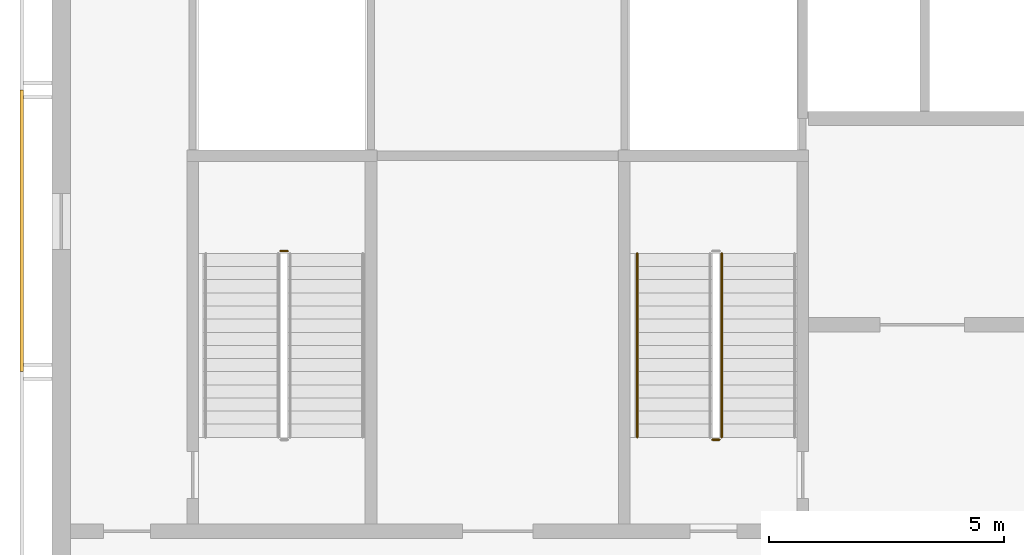
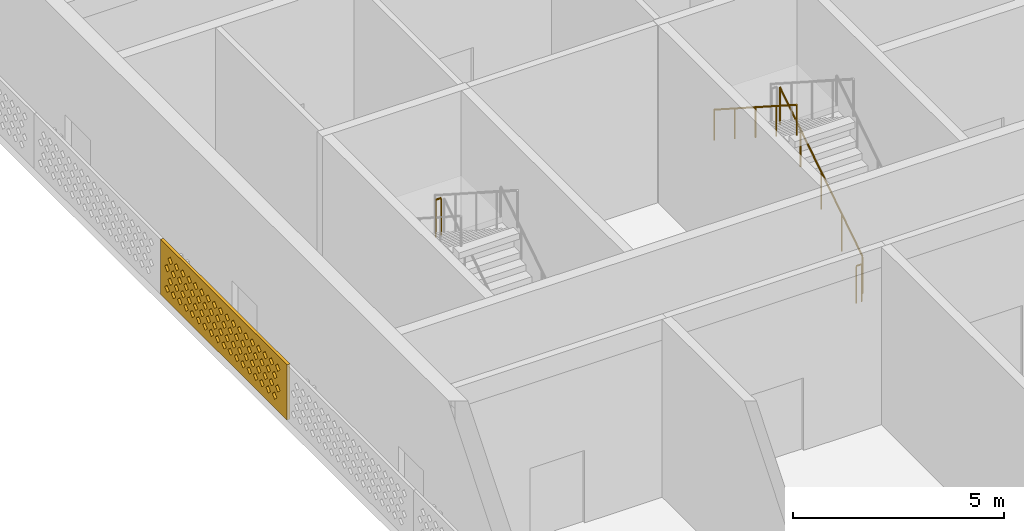
# One storey, part 12 of 18: 4 railings, 1 covering.
"""IFC4 building model written with IfcOpenShell, lengths in metres."""

from ifc_helpers import new_model, si_unit, direction, frame, origin, origin_2d, place, context, subcontext, project, spatial, polyline, circle, outline, extrude, source, transform, mapped, material, material_profile, profile_set, type_object, element, save


model = new_model("IFC4")

# Units and contexts
model_context = context("Model", 3, precision=1e-05, world=origin(), true_north=direction((0.0, 1.0)))
body_context = subcontext(model_context, "Body", "Model", "MODEL_VIEW")
ifc_project = project(units=[si_unit("LENGTHUNIT", "METRE"), si_unit("AREAUNIT", "SQUARE_METRE"), si_unit("VOLUMEUNIT", "CUBIC_METRE"), si_unit("PLANEANGLEUNIT", "RADIAN"), si_unit("MASSUNIT", "GRAM", prefix="KILO")], contexts=[model_context])

# Site, building, storey
site_placement = place(None, origin())
site = spatial("IfcSite", under=ifc_project, at=site_placement, CompositionType="ELEMENT")
building_placement = place(site_placement, origin())
building = spatial("IfcBuilding", under=site, at=building_placement, Name="Poui Terraces", CompositionType="ELEMENT")
storey_placement = place(building_placement, frame((0.0, 0.0, 267.0)))
storey = spatial("IfcBuildingStorey", under=building, at=storey_placement, Name="L74", CompositionType="ELEMENT", Elevation=267.0)

# Railings
ifc_material_1 = material(Name="Galvanised steel balustrade", Category="steel")
railing_type_1 = type_object("IfcRailingType", Name="STAIR GUARD 1100", PredefinedType="GUARDRAIL", material=ifc_material_1)
railing_1_placement = place(storey_placement, frame((32.074951171875, 16.60009765625, 0.179931640625)))
element("IfcRailing", 1, at=railing_1_placement, inside=storey, type_object=railing_type_1, Name="L74 ST-CW stair guard 1", PredefinedType="GUARDRAIL", context=body_context, shape_type="SweptSolid", body=[
    extrude(circle(Radius=0.02392578125, at=origin_2d()), frame((0.0, 0.0, 1.076171875), z_axis=(0.0, 0.841171666519, 0.540768182723), x_axis=(-1.0, 0.0, 0.0)), (0.0, 0.0, 1.0), 4.66015625),
    extrude(circle(Radius=0.02099609375, at=origin_2d()), origin(), (0.0, 0.0, 1.0), 1.052001953125),
    extrude(circle(Radius=0.02099609375, at=origin_2d()), frame((0.0, 0.97998046875, 0.6298828125)), (0.0, 0.0, 1.0), 1.052001953125),
    extrude(circle(Radius=0.02099609375, at=origin_2d()), frame((0.0, 1.9599609375, 1.260009765625)), (0.0, 0.0, 1.0), 1.052001953125),
    extrude(circle(Radius=0.02099609375, at=origin_2d()), frame((0.0, 2.93994140625, 1.89013671875)), (0.0, 0.0, 1.0), 1.052001953125),
    extrude(circle(Radius=0.02099609375, at=origin_2d()), frame((0.0, 3.919921875, 2.52001953125)), (0.0, 0.0, 1.0), 1.052001953125),
])
for number, where, name in (
    (2, (32.02490234375, 16.550048828125, 0.0), "L74 ST-CW stair guard 4"),
    (3, (22.824951171875, 20.570068359375, 2.699951171875), "L74 ST-W stair guard 2"),
):
    element("IfcRailing", number, at=place(storey_placement, frame(where)), inside=storey, type_object=railing_type_1, Name=name, PredefinedType="GUARDRAIL", context=body_context, shape_type="SweptSolid", body=[
        extrude(circle(Radius=0.02392578125, at=origin_2d()), frame((0.0, 0.0, 1.076171875), z_axis=(-1.0, 0.0, 0.0), x_axis=(0.0, -1.0, 0.0)), (0.0, 0.0, 1.0), 0.14990234375),
        extrude(circle(Radius=0.02099609375, at=origin_2d()), origin(), (0.0, 0.0, 1.0), 1.052001953125),
        extrude(circle(Radius=0.02099609375, at=origin_2d()), frame((-0.14990234375, 0.0, 0.0)), (0.0, 0.0, 1.0), 1.052001953125),
    ])
ifc_material_2 = material(Name="Stainless steel handrail", Category="steel")
railing_type_2 = type_object("IfcRailingType", Name="STAIR HANDRAIL 900", PredefinedType="HANDRAIL", material=ifc_material_2)
railing_2_placement = place(storey_placement, frame((30.27490234375, 20.52001953125, 2.8798828125)))
element("IfcRailing", 4, at=railing_2_placement, inside=storey, type_object=railing_type_2, Name="L74 ST-CW stair handrail 2", PredefinedType="HANDRAIL", context=body_context, shape_type="SweptSolid", body=[
    extrude(circle(Radius=0.02392578125, at=origin_2d()), frame((0.0, 0.0, 0.8759765625), z_axis=(0.0, -0.841171666519, 0.540768182723), x_axis=(1.0, 0.0, 0.0)), (0.0, 0.0, 1.0), 4.66015625),
    extrude(circle(Radius=0.02099609375, at=origin_2d()), origin(), (0.0, 0.0, 1.0), 0.851806640625),
    extrude(circle(Radius=0.02099609375, at=origin_2d()), frame((0.0, -0.97998046875, 0.6298828125)), (0.0, 0.0, 1.0), 0.851806640625),
    extrude(circle(Radius=0.02099609375, at=origin_2d()), frame((0.0, -1.9599609375, 1.260009765625)), (0.0, 0.0, 1.0), 0.851806640625),
    extrude(circle(Radius=0.02099609375, at=origin_2d()), frame((0.0, -2.93994140625, 1.89013671875)), (0.0, 0.0, 1.0), 0.851806640625),
    extrude(circle(Radius=0.02099609375, at=origin_2d()), frame((0.0, -3.919921875, 2.52001953125)), (0.0, 0.0, 1.0), 0.851806640625),
])

# Covering
ifc_material_3 = material(Name="Terracotta screen", Category="masonry")
ifc_material_profile = material_profile(ifc_material_3, outline(polyline([(-3.0, -0.800048828125), (3.0, -0.800048828125), (3.0, 0.800048828125), (-3.0, 0.800048828125), (-3.0, -0.800048828125)]), holes=[polyline([(-2.800048828125, -0.449951171875), (-2.68994140625, -0.56005859375), (-2.580078125, -0.449951171875), (-2.68994140625, -0.340087890625), (-2.800048828125, -0.449951171875)]), polyline([(-2.5, -0.449951171875), (-2.389892578125, -0.56005859375), (-2.280029296875, -0.449951171875), (-2.389892578125, -0.340087890625), (-2.5, -0.449951171875)]), polyline([(-2.199951171875, -0.449951171875), (-2.090087890625, -0.56005859375), (-1.97998046875, -0.449951171875), (-2.090087890625, -0.340087890625), (-2.199951171875, -0.449951171875)]), polyline([(-1.89990234375, -0.449951171875), (-1.7900390625, -0.56005859375), (-1.679931640625, -0.449951171875), (-1.7900390625, -0.340087890625), (-1.89990234375, -0.449951171875)]), polyline([(-1.60009765625, -0.449951171875), (-1.489990234375, -0.56005859375), (-1.3798828125, -0.449951171875), (-1.489990234375, -0.340087890625), (-1.60009765625, -0.449951171875)]), polyline([(-1.300048828125, -0.449951171875), (-1.18994140625, -0.56005859375), (-1.080078125, -0.449951171875), (-1.18994140625, -0.340087890625), (-1.300048828125, -0.449951171875)]), polyline([(-1.0, -0.449951171875), (-0.889892578125, -0.56005859375), (-0.780029296875, -0.449951171875), (-0.889892578125, -0.340087890625), (-1.0, -0.449951171875)]), polyline([(-0.699951171875, -0.449951171875), (-0.590087890625, -0.56005859375), (-0.47998046875, -0.449951171875), (-0.590087890625, -0.340087890625), (-0.699951171875, -0.449951171875)]), polyline([(-0.39990234375, -0.449951171875), (-0.2900390625, -0.56005859375), (-0.179931640625, -0.449951171875), (-0.2900390625, -0.340087890625), (-0.39990234375, -0.449951171875)]), polyline([(-0.10009765625, -0.449951171875), (0.010009765625, -0.56005859375), (0.1201171875, -0.449951171875), (0.010009765625, -0.340087890625), (-0.10009765625, -0.449951171875)]), polyline([(0.199951171875, -0.449951171875), (0.31005859375, -0.56005859375), (0.419921875, -0.449951171875), (0.31005859375, -0.340087890625), (0.199951171875, -0.449951171875)]), polyline([(0.5, -0.449951171875), (0.610107421875, -0.56005859375), (0.719970703125, -0.449951171875), (0.610107421875, -0.340087890625), (0.5, -0.449951171875)]), polyline([(0.800048828125, -0.449951171875), (0.909912109375, -0.56005859375), (1.02001953125, -0.449951171875), (0.909912109375, -0.340087890625), (0.800048828125, -0.449951171875)]), polyline([(1.10009765625, -0.449951171875), (1.2099609375, -0.56005859375), (1.320068359375, -0.449951171875), (1.2099609375, -0.340087890625), (1.10009765625, -0.449951171875)]), polyline([(1.39990234375, -0.449951171875), (1.510009765625, -0.56005859375), (1.6201171875, -0.449951171875), (1.510009765625, -0.340087890625), (1.39990234375, -0.449951171875)]), polyline([(1.699951171875, -0.449951171875), (1.81005859375, -0.56005859375), (1.919921875, -0.449951171875), (1.81005859375, -0.340087890625), (1.699951171875, -0.449951171875)]), polyline([(2.0, -0.449951171875), (2.110107421875, -0.56005859375), (2.219970703125, -0.449951171875), (2.110107421875, -0.340087890625), (2.0, -0.449951171875)]), polyline([(2.300048828125, -0.449951171875), (2.409912109375, -0.56005859375), (2.52001953125, -0.449951171875), (2.409912109375, -0.340087890625), (2.300048828125, -0.449951171875)]), polyline([(-2.64990234375, -0.14990234375), (-2.5400390625, -0.260009765625), (-2.429931640625, -0.14990234375), (-2.5400390625, -0.0400390625), (-2.64990234375, -0.14990234375)]), polyline([(-2.35009765625, -0.14990234375), (-2.239990234375, -0.260009765625), (-2.1298828125, -0.14990234375), (-2.239990234375, -0.0400390625), (-2.35009765625, -0.14990234375)]), polyline([(-2.050048828125, -0.14990234375), (-1.93994140625, -0.260009765625), (-1.830078125, -0.14990234375), (-1.93994140625, -0.0400390625), (-2.050048828125, -0.14990234375)]), polyline([(-1.75, -0.14990234375), (-1.639892578125, -0.260009765625), (-1.530029296875, -0.14990234375), (-1.639892578125, -0.0400390625), (-1.75, -0.14990234375)]), polyline([(-1.449951171875, -0.14990234375), (-1.340087890625, -0.260009765625), (-1.22998046875, -0.14990234375), (-1.340087890625, -0.0400390625), (-1.449951171875, -0.14990234375)]), polyline([(-1.14990234375, -0.14990234375), (-1.0400390625, -0.260009765625), (-0.929931640625, -0.14990234375), (-1.0400390625, -0.0400390625), (-1.14990234375, -0.14990234375)]), polyline([(-0.85009765625, -0.14990234375), (-0.739990234375, -0.260009765625), (-0.6298828125, -0.14990234375), (-0.739990234375, -0.0400390625), (-0.85009765625, -0.14990234375)]), polyline([(-0.550048828125, -0.14990234375), (-0.43994140625, -0.260009765625), (-0.330078125, -0.14990234375), (-0.43994140625, -0.0400390625), (-0.550048828125, -0.14990234375)]), polyline([(-0.25, -0.14990234375), (-0.139892578125, -0.260009765625), (-0.030029296875, -0.14990234375), (-0.139892578125, -0.0400390625), (-0.25, -0.14990234375)]), polyline([(0.050048828125, -0.14990234375), (0.159912109375, -0.260009765625), (0.27001953125, -0.14990234375), (0.159912109375, -0.0400390625), (0.050048828125, -0.14990234375)]), polyline([(0.35009765625, -0.14990234375), (0.4599609375, -0.260009765625), (0.570068359375, -0.14990234375), (0.4599609375, -0.0400390625), (0.35009765625, -0.14990234375)]), polyline([(0.64990234375, -0.14990234375), (0.760009765625, -0.260009765625), (0.8701171875, -0.14990234375), (0.760009765625, -0.0400390625), (0.64990234375, -0.14990234375)]), polyline([(0.949951171875, -0.14990234375), (1.06005859375, -0.260009765625), (1.169921875, -0.14990234375), (1.06005859375, -0.0400390625), (0.949951171875, -0.14990234375)]), polyline([(1.25, -0.14990234375), (1.360107421875, -0.260009765625), (1.469970703125, -0.14990234375), (1.360107421875, -0.0400390625), (1.25, -0.14990234375)]), polyline([(1.550048828125, -0.14990234375), (1.659912109375, -0.260009765625), (1.77001953125, -0.14990234375), (1.659912109375, -0.0400390625), (1.550048828125, -0.14990234375)]), polyline([(1.85009765625, -0.14990234375), (1.9599609375, -0.260009765625), (2.070068359375, -0.14990234375), (1.9599609375, -0.0400390625), (1.85009765625, -0.14990234375)]), polyline([(2.14990234375, -0.14990234375), (2.260009765625, -0.260009765625), (2.3701171875, -0.14990234375), (2.260009765625, -0.0400390625), (2.14990234375, -0.14990234375)]), polyline([(2.449951171875, -0.14990234375), (2.56005859375, -0.260009765625), (2.669921875, -0.14990234375), (2.56005859375, -0.0400390625), (2.449951171875, -0.14990234375)]), polyline([(-2.800048828125, 0.14990234375), (-2.68994140625, 0.0400390625), (-2.580078125, 0.14990234375), (-2.68994140625, 0.260009765625), (-2.800048828125, 0.14990234375)]), polyline([(-2.5, 0.14990234375), (-2.389892578125, 0.0400390625), (-2.280029296875, 0.14990234375), (-2.389892578125, 0.260009765625), (-2.5, 0.14990234375)]), polyline([(-2.199951171875, 0.14990234375), (-2.090087890625, 0.0400390625), (-1.97998046875, 0.14990234375), (-2.090087890625, 0.260009765625), (-2.199951171875, 0.14990234375)]), polyline([(-1.89990234375, 0.14990234375), (-1.7900390625, 0.0400390625), (-1.679931640625, 0.14990234375), (-1.7900390625, 0.260009765625), (-1.89990234375, 0.14990234375)]), polyline([(-1.60009765625, 0.14990234375), (-1.489990234375, 0.0400390625), (-1.3798828125, 0.14990234375), (-1.489990234375, 0.260009765625), (-1.60009765625, 0.14990234375)]), polyline([(-1.300048828125, 0.14990234375), (-1.18994140625, 0.0400390625), (-1.080078125, 0.14990234375), (-1.18994140625, 0.260009765625), (-1.300048828125, 0.14990234375)]), polyline([(-1.0, 0.14990234375), (-0.889892578125, 0.0400390625), (-0.780029296875, 0.14990234375), (-0.889892578125, 0.260009765625), (-1.0, 0.14990234375)]), polyline([(-0.699951171875, 0.14990234375), (-0.590087890625, 0.0400390625), (-0.47998046875, 0.14990234375), (-0.590087890625, 0.260009765625), (-0.699951171875, 0.14990234375)]), polyline([(-0.39990234375, 0.14990234375), (-0.2900390625, 0.0400390625), (-0.179931640625, 0.14990234375), (-0.2900390625, 0.260009765625), (-0.39990234375, 0.14990234375)]), polyline([(-0.10009765625, 0.14990234375), (0.010009765625, 0.0400390625), (0.1201171875, 0.14990234375), (0.010009765625, 0.260009765625), (-0.10009765625, 0.14990234375)]), polyline([(0.199951171875, 0.14990234375), (0.31005859375, 0.0400390625), (0.419921875, 0.14990234375), (0.31005859375, 0.260009765625), (0.199951171875, 0.14990234375)]), polyline([(0.5, 0.14990234375), (0.610107421875, 0.0400390625), (0.719970703125, 0.14990234375), (0.610107421875, 0.260009765625), (0.5, 0.14990234375)]), polyline([(0.800048828125, 0.14990234375), (0.909912109375, 0.0400390625), (1.02001953125, 0.14990234375), (0.909912109375, 0.260009765625), (0.800048828125, 0.14990234375)]), polyline([(1.10009765625, 0.14990234375), (1.2099609375, 0.0400390625), (1.320068359375, 0.14990234375), (1.2099609375, 0.260009765625), (1.10009765625, 0.14990234375)]), polyline([(1.39990234375, 0.14990234375), (1.510009765625, 0.0400390625), (1.6201171875, 0.14990234375), (1.510009765625, 0.260009765625), (1.39990234375, 0.14990234375)]), polyline([(1.699951171875, 0.14990234375), (1.81005859375, 0.0400390625), (1.919921875, 0.14990234375), (1.81005859375, 0.260009765625), (1.699951171875, 0.14990234375)]), polyline([(2.0, 0.14990234375), (2.110107421875, 0.0400390625), (2.219970703125, 0.14990234375), (2.110107421875, 0.260009765625), (2.0, 0.14990234375)]), polyline([(2.300048828125, 0.14990234375), (2.409912109375, 0.0400390625), (2.52001953125, 0.14990234375), (2.409912109375, 0.260009765625), (2.300048828125, 0.14990234375)]), polyline([(-2.64990234375, 0.449951171875), (-2.5400390625, 0.340087890625), (-2.429931640625, 0.449951171875), (-2.5400390625, 0.56005859375), (-2.64990234375, 0.449951171875)]), polyline([(-2.35009765625, 0.449951171875), (-2.239990234375, 0.340087890625), (-2.1298828125, 0.449951171875), (-2.239990234375, 0.56005859375), (-2.35009765625, 0.449951171875)]), polyline([(-2.050048828125, 0.449951171875), (-1.93994140625, 0.340087890625), (-1.830078125, 0.449951171875), (-1.93994140625, 0.56005859375), (-2.050048828125, 0.449951171875)]), polyline([(-1.75, 0.449951171875), (-1.639892578125, 0.340087890625), (-1.530029296875, 0.449951171875), (-1.639892578125, 0.56005859375), (-1.75, 0.449951171875)]), polyline([(-1.449951171875, 0.449951171875), (-1.340087890625, 0.340087890625), (-1.22998046875, 0.449951171875), (-1.340087890625, 0.56005859375), (-1.449951171875, 0.449951171875)]), polyline([(-1.14990234375, 0.449951171875), (-1.0400390625, 0.340087890625), (-0.929931640625, 0.449951171875), (-1.0400390625, 0.56005859375), (-1.14990234375, 0.449951171875)]), polyline([(-0.85009765625, 0.449951171875), (-0.739990234375, 0.340087890625), (-0.6298828125, 0.449951171875), (-0.739990234375, 0.56005859375), (-0.85009765625, 0.449951171875)]), polyline([(-0.550048828125, 0.449951171875), (-0.43994140625, 0.340087890625), (-0.330078125, 0.449951171875), (-0.43994140625, 0.56005859375), (-0.550048828125, 0.449951171875)]), polyline([(-0.25, 0.449951171875), (-0.139892578125, 0.340087890625), (-0.030029296875, 0.449951171875), (-0.139892578125, 0.56005859375), (-0.25, 0.449951171875)]), polyline([(0.050048828125, 0.449951171875), (0.159912109375, 0.340087890625), (0.27001953125, 0.449951171875), (0.159912109375, 0.56005859375), (0.050048828125, 0.449951171875)]), polyline([(0.35009765625, 0.449951171875), (0.4599609375, 0.340087890625), (0.570068359375, 0.449951171875), (0.4599609375, 0.56005859375), (0.35009765625, 0.449951171875)]), polyline([(0.64990234375, 0.449951171875), (0.760009765625, 0.340087890625), (0.8701171875, 0.449951171875), (0.760009765625, 0.56005859375), (0.64990234375, 0.449951171875)]), polyline([(0.949951171875, 0.449951171875), (1.06005859375, 0.340087890625), (1.169921875, 0.449951171875), (1.06005859375, 0.56005859375), (0.949951171875, 0.449951171875)]), polyline([(1.25, 0.449951171875), (1.360107421875, 0.340087890625), (1.469970703125, 0.449951171875), (1.360107421875, 0.56005859375), (1.25, 0.449951171875)]), polyline([(1.550048828125, 0.449951171875), (1.659912109375, 0.340087890625), (1.77001953125, 0.449951171875), (1.659912109375, 0.56005859375), (1.550048828125, 0.449951171875)]), polyline([(1.85009765625, 0.449951171875), (1.9599609375, 0.340087890625), (2.070068359375, 0.449951171875), (1.9599609375, 0.56005859375), (1.85009765625, 0.449951171875)]), polyline([(2.14990234375, 0.449951171875), (2.260009765625, 0.340087890625), (2.3701171875, 0.449951171875), (2.260009765625, 0.56005859375), (2.14990234375, 0.449951171875)]), polyline([(2.449951171875, 0.449951171875), (2.56005859375, 0.340087890625), (2.669921875, 0.449951171875), (2.56005859375, 0.56005859375), (2.449951171875, 0.449951171875)])]), Name="TERRACOTTA SOLAR SCREEN 6000X1600")
ifc_profile_set = profile_set([ifc_material_profile], Name="Terracotta screen")
covering_type = type_object("IfcCoveringType", Name="TERRACOTTA SOLAR SCREEN 6000X1600", PredefinedType="CLADDING", material=ifc_profile_set)
shared_shape = source(origin(), body_context, "Body", "SweptSolid", [
    extrude(outline(polyline([(-3.0, -0.800048828125), (3.0, -0.800048828125), (3.0, 0.800048828125), (-3.0, 0.800048828125), (-3.0, -0.800048828125)]), holes=[polyline([(-2.800048828125, -0.449951171875), (-2.68994140625, -0.56005859375), (-2.580078125, -0.449951171875), (-2.68994140625, -0.340087890625), (-2.800048828125, -0.449951171875)]), polyline([(-2.5, -0.449951171875), (-2.389892578125, -0.56005859375), (-2.280029296875, -0.449951171875), (-2.389892578125, -0.340087890625), (-2.5, -0.449951171875)]), polyline([(-2.199951171875, -0.449951171875), (-2.090087890625, -0.56005859375), (-1.97998046875, -0.449951171875), (-2.090087890625, -0.340087890625), (-2.199951171875, -0.449951171875)]), polyline([(-1.89990234375, -0.449951171875), (-1.7900390625, -0.56005859375), (-1.679931640625, -0.449951171875), (-1.7900390625, -0.340087890625), (-1.89990234375, -0.449951171875)]), polyline([(-1.60009765625, -0.449951171875), (-1.489990234375, -0.56005859375), (-1.3798828125, -0.449951171875), (-1.489990234375, -0.340087890625), (-1.60009765625, -0.449951171875)]), polyline([(-1.300048828125, -0.449951171875), (-1.18994140625, -0.56005859375), (-1.080078125, -0.449951171875), (-1.18994140625, -0.340087890625), (-1.300048828125, -0.449951171875)]), polyline([(-1.0, -0.449951171875), (-0.889892578125, -0.56005859375), (-0.780029296875, -0.449951171875), (-0.889892578125, -0.340087890625), (-1.0, -0.449951171875)]), polyline([(-0.699951171875, -0.449951171875), (-0.590087890625, -0.56005859375), (-0.47998046875, -0.449951171875), (-0.590087890625, -0.340087890625), (-0.699951171875, -0.449951171875)]), polyline([(-0.39990234375, -0.449951171875), (-0.2900390625, -0.56005859375), (-0.179931640625, -0.449951171875), (-0.2900390625, -0.340087890625), (-0.39990234375, -0.449951171875)]), polyline([(-0.10009765625, -0.449951171875), (0.010009765625, -0.56005859375), (0.1201171875, -0.449951171875), (0.010009765625, -0.340087890625), (-0.10009765625, -0.449951171875)]), polyline([(0.199951171875, -0.449951171875), (0.31005859375, -0.56005859375), (0.419921875, -0.449951171875), (0.31005859375, -0.340087890625), (0.199951171875, -0.449951171875)]), polyline([(0.5, -0.449951171875), (0.610107421875, -0.56005859375), (0.719970703125, -0.449951171875), (0.610107421875, -0.340087890625), (0.5, -0.449951171875)]), polyline([(0.800048828125, -0.449951171875), (0.909912109375, -0.56005859375), (1.02001953125, -0.449951171875), (0.909912109375, -0.340087890625), (0.800048828125, -0.449951171875)]), polyline([(1.10009765625, -0.449951171875), (1.2099609375, -0.56005859375), (1.320068359375, -0.449951171875), (1.2099609375, -0.340087890625), (1.10009765625, -0.449951171875)]), polyline([(1.39990234375, -0.449951171875), (1.510009765625, -0.56005859375), (1.6201171875, -0.449951171875), (1.510009765625, -0.340087890625), (1.39990234375, -0.449951171875)]), polyline([(1.699951171875, -0.449951171875), (1.81005859375, -0.56005859375), (1.919921875, -0.449951171875), (1.81005859375, -0.340087890625), (1.699951171875, -0.449951171875)]), polyline([(2.0, -0.449951171875), (2.110107421875, -0.56005859375), (2.219970703125, -0.449951171875), (2.110107421875, -0.340087890625), (2.0, -0.449951171875)]), polyline([(2.300048828125, -0.449951171875), (2.409912109375, -0.56005859375), (2.52001953125, -0.449951171875), (2.409912109375, -0.340087890625), (2.300048828125, -0.449951171875)]), polyline([(-2.64990234375, -0.14990234375), (-2.5400390625, -0.260009765625), (-2.429931640625, -0.14990234375), (-2.5400390625, -0.0400390625), (-2.64990234375, -0.14990234375)]), polyline([(-2.35009765625, -0.14990234375), (-2.239990234375, -0.260009765625), (-2.1298828125, -0.14990234375), (-2.239990234375, -0.0400390625), (-2.35009765625, -0.14990234375)]), polyline([(-2.050048828125, -0.14990234375), (-1.93994140625, -0.260009765625), (-1.830078125, -0.14990234375), (-1.93994140625, -0.0400390625), (-2.050048828125, -0.14990234375)]), polyline([(-1.75, -0.14990234375), (-1.639892578125, -0.260009765625), (-1.530029296875, -0.14990234375), (-1.639892578125, -0.0400390625), (-1.75, -0.14990234375)]), polyline([(-1.449951171875, -0.14990234375), (-1.340087890625, -0.260009765625), (-1.22998046875, -0.14990234375), (-1.340087890625, -0.0400390625), (-1.449951171875, -0.14990234375)]), polyline([(-1.14990234375, -0.14990234375), (-1.0400390625, -0.260009765625), (-0.929931640625, -0.14990234375), (-1.0400390625, -0.0400390625), (-1.14990234375, -0.14990234375)]), polyline([(-0.85009765625, -0.14990234375), (-0.739990234375, -0.260009765625), (-0.6298828125, -0.14990234375), (-0.739990234375, -0.0400390625), (-0.85009765625, -0.14990234375)]), polyline([(-0.550048828125, -0.14990234375), (-0.43994140625, -0.260009765625), (-0.330078125, -0.14990234375), (-0.43994140625, -0.0400390625), (-0.550048828125, -0.14990234375)]), polyline([(-0.25, -0.14990234375), (-0.139892578125, -0.260009765625), (-0.030029296875, -0.14990234375), (-0.139892578125, -0.0400390625), (-0.25, -0.14990234375)]), polyline([(0.050048828125, -0.14990234375), (0.159912109375, -0.260009765625), (0.27001953125, -0.14990234375), (0.159912109375, -0.0400390625), (0.050048828125, -0.14990234375)]), polyline([(0.35009765625, -0.14990234375), (0.4599609375, -0.260009765625), (0.570068359375, -0.14990234375), (0.4599609375, -0.0400390625), (0.35009765625, -0.14990234375)]), polyline([(0.64990234375, -0.14990234375), (0.760009765625, -0.260009765625), (0.8701171875, -0.14990234375), (0.760009765625, -0.0400390625), (0.64990234375, -0.14990234375)]), polyline([(0.949951171875, -0.14990234375), (1.06005859375, -0.260009765625), (1.169921875, -0.14990234375), (1.06005859375, -0.0400390625), (0.949951171875, -0.14990234375)]), polyline([(1.25, -0.14990234375), (1.360107421875, -0.260009765625), (1.469970703125, -0.14990234375), (1.360107421875, -0.0400390625), (1.25, -0.14990234375)]), polyline([(1.550048828125, -0.14990234375), (1.659912109375, -0.260009765625), (1.77001953125, -0.14990234375), (1.659912109375, -0.0400390625), (1.550048828125, -0.14990234375)]), polyline([(1.85009765625, -0.14990234375), (1.9599609375, -0.260009765625), (2.070068359375, -0.14990234375), (1.9599609375, -0.0400390625), (1.85009765625, -0.14990234375)]), polyline([(2.14990234375, -0.14990234375), (2.260009765625, -0.260009765625), (2.3701171875, -0.14990234375), (2.260009765625, -0.0400390625), (2.14990234375, -0.14990234375)]), polyline([(2.449951171875, -0.14990234375), (2.56005859375, -0.260009765625), (2.669921875, -0.14990234375), (2.56005859375, -0.0400390625), (2.449951171875, -0.14990234375)]), polyline([(-2.800048828125, 0.14990234375), (-2.68994140625, 0.0400390625), (-2.580078125, 0.14990234375), (-2.68994140625, 0.260009765625), (-2.800048828125, 0.14990234375)]), polyline([(-2.5, 0.14990234375), (-2.389892578125, 0.0400390625), (-2.280029296875, 0.14990234375), (-2.389892578125, 0.260009765625), (-2.5, 0.14990234375)]), polyline([(-2.199951171875, 0.14990234375), (-2.090087890625, 0.0400390625), (-1.97998046875, 0.14990234375), (-2.090087890625, 0.260009765625), (-2.199951171875, 0.14990234375)]), polyline([(-1.89990234375, 0.14990234375), (-1.7900390625, 0.0400390625), (-1.679931640625, 0.14990234375), (-1.7900390625, 0.260009765625), (-1.89990234375, 0.14990234375)]), polyline([(-1.60009765625, 0.14990234375), (-1.489990234375, 0.0400390625), (-1.3798828125, 0.14990234375), (-1.489990234375, 0.260009765625), (-1.60009765625, 0.14990234375)]), polyline([(-1.300048828125, 0.14990234375), (-1.18994140625, 0.0400390625), (-1.080078125, 0.14990234375), (-1.18994140625, 0.260009765625), (-1.300048828125, 0.14990234375)]), polyline([(-1.0, 0.14990234375), (-0.889892578125, 0.0400390625), (-0.780029296875, 0.14990234375), (-0.889892578125, 0.260009765625), (-1.0, 0.14990234375)]), polyline([(-0.699951171875, 0.14990234375), (-0.590087890625, 0.0400390625), (-0.47998046875, 0.14990234375), (-0.590087890625, 0.260009765625), (-0.699951171875, 0.14990234375)]), polyline([(-0.39990234375, 0.14990234375), (-0.2900390625, 0.0400390625), (-0.179931640625, 0.14990234375), (-0.2900390625, 0.260009765625), (-0.39990234375, 0.14990234375)]), polyline([(-0.10009765625, 0.14990234375), (0.010009765625, 0.0400390625), (0.1201171875, 0.14990234375), (0.010009765625, 0.260009765625), (-0.10009765625, 0.14990234375)]), polyline([(0.199951171875, 0.14990234375), (0.31005859375, 0.0400390625), (0.419921875, 0.14990234375), (0.31005859375, 0.260009765625), (0.199951171875, 0.14990234375)]), polyline([(0.5, 0.14990234375), (0.610107421875, 0.0400390625), (0.719970703125, 0.14990234375), (0.610107421875, 0.260009765625), (0.5, 0.14990234375)]), polyline([(0.800048828125, 0.14990234375), (0.909912109375, 0.0400390625), (1.02001953125, 0.14990234375), (0.909912109375, 0.260009765625), (0.800048828125, 0.14990234375)]), polyline([(1.10009765625, 0.14990234375), (1.2099609375, 0.0400390625), (1.320068359375, 0.14990234375), (1.2099609375, 0.260009765625), (1.10009765625, 0.14990234375)]), polyline([(1.39990234375, 0.14990234375), (1.510009765625, 0.0400390625), (1.6201171875, 0.14990234375), (1.510009765625, 0.260009765625), (1.39990234375, 0.14990234375)]), polyline([(1.699951171875, 0.14990234375), (1.81005859375, 0.0400390625), (1.919921875, 0.14990234375), (1.81005859375, 0.260009765625), (1.699951171875, 0.14990234375)]), polyline([(2.0, 0.14990234375), (2.110107421875, 0.0400390625), (2.219970703125, 0.14990234375), (2.110107421875, 0.260009765625), (2.0, 0.14990234375)]), polyline([(2.300048828125, 0.14990234375), (2.409912109375, 0.0400390625), (2.52001953125, 0.14990234375), (2.409912109375, 0.260009765625), (2.300048828125, 0.14990234375)]), polyline([(-2.64990234375, 0.449951171875), (-2.5400390625, 0.340087890625), (-2.429931640625, 0.449951171875), (-2.5400390625, 0.56005859375), (-2.64990234375, 0.449951171875)]), polyline([(-2.35009765625, 0.449951171875), (-2.239990234375, 0.340087890625), (-2.1298828125, 0.449951171875), (-2.239990234375, 0.56005859375), (-2.35009765625, 0.449951171875)]), polyline([(-2.050048828125, 0.449951171875), (-1.93994140625, 0.340087890625), (-1.830078125, 0.449951171875), (-1.93994140625, 0.56005859375), (-2.050048828125, 0.449951171875)]), polyline([(-1.75, 0.449951171875), (-1.639892578125, 0.340087890625), (-1.530029296875, 0.449951171875), (-1.639892578125, 0.56005859375), (-1.75, 0.449951171875)]), polyline([(-1.449951171875, 0.449951171875), (-1.340087890625, 0.340087890625), (-1.22998046875, 0.449951171875), (-1.340087890625, 0.56005859375), (-1.449951171875, 0.449951171875)]), polyline([(-1.14990234375, 0.449951171875), (-1.0400390625, 0.340087890625), (-0.929931640625, 0.449951171875), (-1.0400390625, 0.56005859375), (-1.14990234375, 0.449951171875)]), polyline([(-0.85009765625, 0.449951171875), (-0.739990234375, 0.340087890625), (-0.6298828125, 0.449951171875), (-0.739990234375, 0.56005859375), (-0.85009765625, 0.449951171875)]), polyline([(-0.550048828125, 0.449951171875), (-0.43994140625, 0.340087890625), (-0.330078125, 0.449951171875), (-0.43994140625, 0.56005859375), (-0.550048828125, 0.449951171875)]), polyline([(-0.25, 0.449951171875), (-0.139892578125, 0.340087890625), (-0.030029296875, 0.449951171875), (-0.139892578125, 0.56005859375), (-0.25, 0.449951171875)]), polyline([(0.050048828125, 0.449951171875), (0.159912109375, 0.340087890625), (0.27001953125, 0.449951171875), (0.159912109375, 0.56005859375), (0.050048828125, 0.449951171875)]), polyline([(0.35009765625, 0.449951171875), (0.4599609375, 0.340087890625), (0.570068359375, 0.449951171875), (0.4599609375, 0.56005859375), (0.35009765625, 0.449951171875)]), polyline([(0.64990234375, 0.449951171875), (0.760009765625, 0.340087890625), (0.8701171875, 0.449951171875), (0.760009765625, 0.56005859375), (0.64990234375, 0.449951171875)]), polyline([(0.949951171875, 0.449951171875), (1.06005859375, 0.340087890625), (1.169921875, 0.449951171875), (1.06005859375, 0.56005859375), (0.949951171875, 0.449951171875)]), polyline([(1.25, 0.449951171875), (1.360107421875, 0.340087890625), (1.469970703125, 0.449951171875), (1.360107421875, 0.56005859375), (1.25, 0.449951171875)]), polyline([(1.550048828125, 0.449951171875), (1.659912109375, 0.340087890625), (1.77001953125, 0.449951171875), (1.659912109375, 0.56005859375), (1.550048828125, 0.449951171875)]), polyline([(1.85009765625, 0.449951171875), (1.9599609375, 0.340087890625), (2.070068359375, 0.449951171875), (1.9599609375, 0.56005859375), (1.85009765625, 0.449951171875)]), polyline([(2.14990234375, 0.449951171875), (2.260009765625, 0.340087890625), (2.3701171875, 0.449951171875), (2.260009765625, 0.56005859375), (2.14990234375, 0.449951171875)]), polyline([(2.449951171875, 0.449951171875), (2.56005859375, 0.340087890625), (2.669921875, 0.449951171875), (2.56005859375, 0.56005859375), (2.449951171875, 0.449951171875)])]), origin(), (0.0, 0.0, 1.0), 0.079833984375),
])
covering_placement = place(storey_placement, frame((17.199951171875, 21.0, 1.699951171875), z_axis=(-1.0, 0.0, 0.0), x_axis=(0.0, -1.0, 0.0)))
element("IfcCovering", 5, at=covering_placement, inside=storey, type_object=covering_type, Name="SOLAR SCREEN", PredefinedType="CLADDING", context=body_context, shape_type="MappedRepresentation", body=[
    mapped(shared_shape, transform((0.0, 0.0, 0.0))),
])

save(model, "model.ifc")
